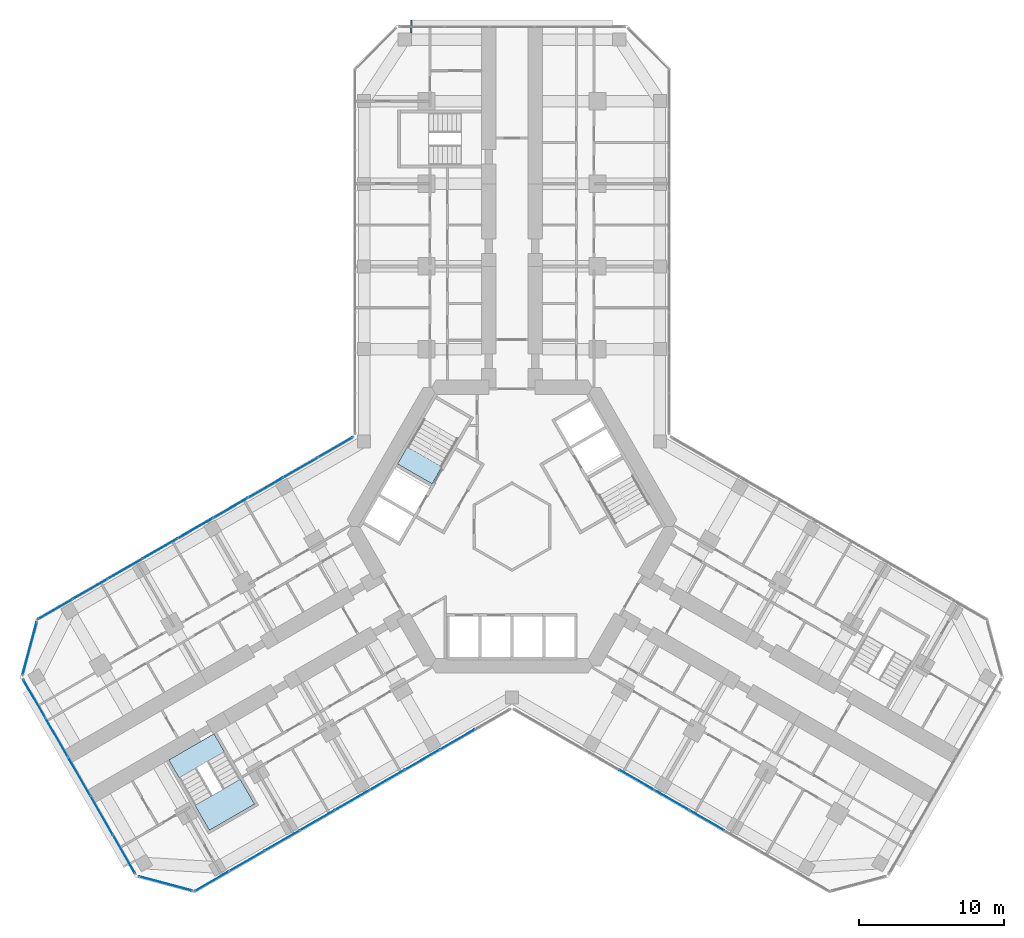
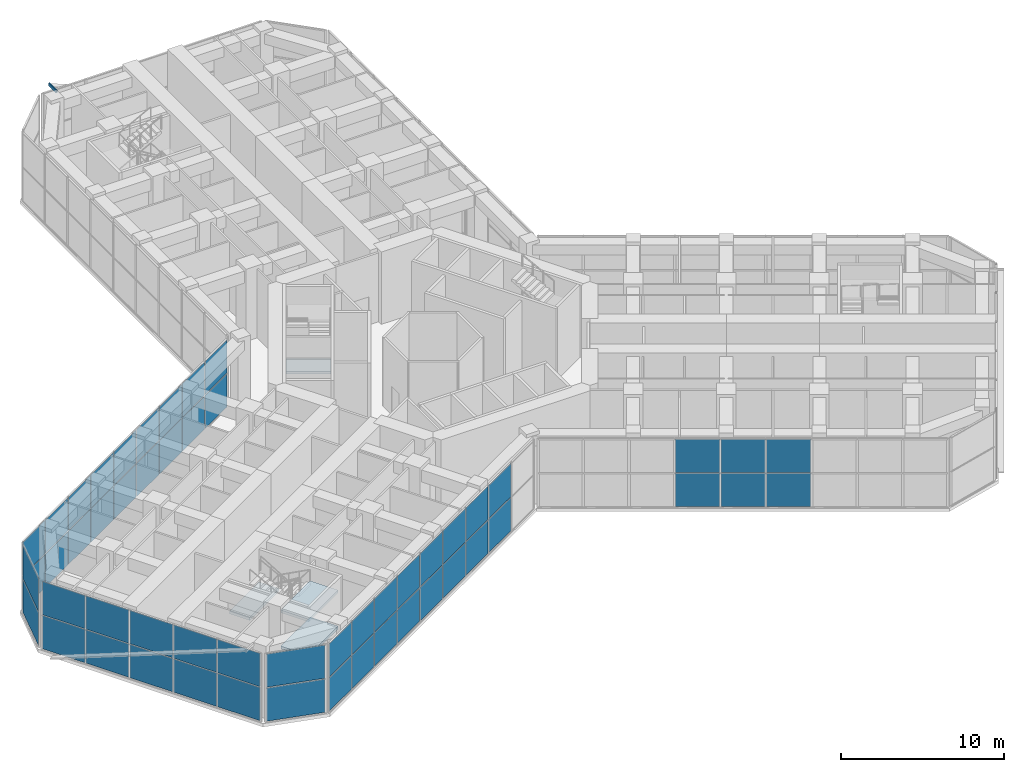
# One storey, part 11 of 23: 54 plates, 4 slabs, 1 member, 8 elements without a shape of their own.
"""IFC4 building model written with IfcOpenShell, lengths in metres."""

from ifc_helpers import new_model, si_unit, direction, frame, origin, origin_2d, place, context, subcontext, project, spatial, polyline, rectangle, hollow_rectangle, outline, extrude, material, layer, layer_set, material_profile, profile_set, type_object, element, aggregate, save


model = new_model("IFC4")

# Units and contexts
model_context = context("Model", 3, precision=1e-05, world=origin(), true_north=direction((0.0, 1.0)))
body_context = subcontext(model_context, "Body", "Model", "MODEL_VIEW")
ifc_project = project(units=[si_unit("LENGTHUNIT", "METRE"), si_unit("AREAUNIT", "SQUARE_METRE"), si_unit("VOLUMEUNIT", "CUBIC_METRE"), si_unit("PLANEANGLEUNIT", "RADIAN"), si_unit("MASSUNIT", "GRAM", prefix="KILO")], contexts=[model_context])

# Site, building, storey
site_placement = place(None, origin())
site = spatial("IfcSite", under=ifc_project, at=site_placement, CompositionType="ELEMENT")
building_placement = place(site_placement, origin())
building = spatial("IfcBuilding", under=site, at=building_placement, Name="Kosmar Iwan School Tower", CompositionType="ELEMENT")
storey_placement = place(building_placement, frame((0.0, 0.0, 75.39990234375)))
storey = spatial("IfcBuildingStorey", under=building, at=storey_placement, Name="L18", CompositionType="ELEMENT", Elevation=75.39990234375)

# Member
ifc_material_1 = material(Name="Steel S355", Category="steel")
ifc_material_profile = material_profile(ifc_material_1, hollow_rectangle(XDim=0.10009765625, YDim=0.199951171875, WallThickness=0.008056640625, at=origin_2d()), Name="RHS 200x100x8")
ifc_profile_set = profile_set([ifc_material_profile], Name="Steel S355")
member_type = type_object("IfcMemberType", Name="Fin bracket RHS 200x100", PredefinedType="USERDEFINED", material=ifc_profile_set)
member_placement = place(storey_placement, frame((-6.949951171875, 34.050048828125, 5.275146484375), z_axis=(0.0, 1.0, 0.0), x_axis=(-1.0, 0.0, 0.0)))
element("IfcMember", 1, at=member_placement, inside=storey, type_object=member_type, Name="Fin bracket L19", ObjectType="FIN BRACKET", PredefinedType="USERDEFINED", context=body_context, shape_type="SweptSolid", body=[
    extrude(hollow_rectangle(XDim=0.10009765625, YDim=0.199951171875, WallThickness=0.008056640625, at=origin_2d()), origin(), (0.0, 0.0, 1.0), 0.89990234375),
])

# Curtain wall, plates
ifc_material_2 = material(Name="Dark glass in black aluminium frame", Category="aluminium")
curtain_wall_type_1 = type_object("IfcCurtainWallType", Name="Winter garden curtain wall", PredefinedType="USERDEFINED", material=ifc_material_2)
curtain_wall_1_placement = place(storey_placement, origin())
curtain_wall_1 = element("IfcCurtainWall", 2, at=curtain_wall_1_placement, inside=storey, type_object=curtain_wall_type_1, Name="Curtain wall L18-F00", ObjectType="WINTER GARDEN CURTAIN WALL", PredefinedType="USERDEFINED")
ifc_material_3 = material(Name="Dark glass", Category="glass")
ifc_layer_1 = layer(ifc_material_3, 0.028076171875)
ifc_layer_set_1 = layer_set([ifc_layer_1], Name="Dark glass panel 28")
plate_type = type_object("IfcPlateType", Name="Dark glass panel 28", PredefinedType="CURTAIN_PANEL", material=ifc_layer_set_1)
plate_1_placement = place(storey_placement, frame((-3.766357421875, -14.674072265625, 0.06005859375), z_axis=(0.0, 0.0, 1.0), x_axis=(-0.866025395189, -0.500000014888, 0.0)))
plate_1 = element("IfcPlate", 3, at=plate_1_placement, type_object=plate_type, Name="CW7 panel 2.1", PredefinedType="CURTAIN_PANEL", context=body_context, shape_type="SweptSolid", body=[
    extrude(rectangle(XDim=2.733154296875, YDim=0.028076171875, at=origin_2d()), origin(), (0.0, 0.0, 1.0), 2.485107421875),
])
plate_2_placement = place(storey_placement, frame((-3.766357421875, -14.674072265625, 2.60498046875), z_axis=(0.0, 0.0, 1.0), x_axis=(-0.866025395189, -0.500000014888, 0.0)))
plate_2 = element("IfcPlate", 4, at=plate_2_placement, type_object=plate_type, Name="CW7 panel 2.2", PredefinedType="CURTAIN_PANEL", context=body_context, shape_type="SweptSolid", body=[
    extrude(rectangle(XDim=2.733154296875, YDim=0.028076171875, at=origin_2d()), origin(), (0.0, 0.0, 1.0), 2.485107421875),
])
plate_3_placement = place(storey_placement, frame((-6.185302734375, -16.07080078125, 0.06005859375), z_axis=(0.0, 0.0, 1.0), x_axis=(-0.866025395189, -0.500000014888, 0.0)))
plate_3 = element("IfcPlate", 5, at=plate_3_placement, type_object=plate_type, Name="CW7 panel 3.1", PredefinedType="CURTAIN_PANEL", context=body_context, shape_type="SweptSolid", body=[
    extrude(rectangle(XDim=2.733154296875, YDim=0.028076171875, at=origin_2d()), origin(), (0.0, 0.0, 1.0), 2.485107421875),
])
plate_4_placement = place(storey_placement, frame((-6.185302734375, -16.07080078125, 2.60498046875), z_axis=(0.0, 0.0, 1.0), x_axis=(-0.866025395189, -0.500000014888, 0.0)))
plate_4 = element("IfcPlate", 6, at=plate_4_placement, type_object=plate_type, Name="CW7 panel 3.2", PredefinedType="CURTAIN_PANEL", context=body_context, shape_type="SweptSolid", body=[
    extrude(rectangle(XDim=2.733154296875, YDim=0.028076171875, at=origin_2d()), origin(), (0.0, 0.0, 1.0), 2.485107421875),
])
plate_5_placement = place(storey_placement, frame((-8.6044921875, -17.46728515625, 0.06005859375), z_axis=(0.0, 0.0, 1.0), x_axis=(-0.866025395189, -0.500000014888, 0.0)))
plate_5 = element("IfcPlate", 7, at=plate_5_placement, type_object=plate_type, Name="CW7 panel 4.1", PredefinedType="CURTAIN_PANEL", context=body_context, shape_type="SweptSolid", body=[
    extrude(rectangle(XDim=2.733154296875, YDim=0.028076171875, at=origin_2d()), origin(), (0.0, 0.0, 1.0), 2.485107421875),
])
plate_6_placement = place(storey_placement, frame((-8.6044921875, -17.46728515625, 2.60498046875), z_axis=(0.0, 0.0, 1.0), x_axis=(-0.866025395189, -0.500000014888, 0.0)))
plate_6 = element("IfcPlate", 8, at=plate_6_placement, type_object=plate_type, Name="CW7 panel 4.2", PredefinedType="CURTAIN_PANEL", context=body_context, shape_type="SweptSolid", body=[
    extrude(rectangle(XDim=2.733154296875, YDim=0.028076171875, at=origin_2d()), origin(), (0.0, 0.0, 1.0), 2.485107421875),
])
plate_7_placement = place(storey_placement, frame((-11.0234375, -18.864013671875, 0.06005859375), z_axis=(0.0, 0.0, 1.0), x_axis=(-0.866025395189, -0.500000014888, 0.0)))
plate_7 = element("IfcPlate", 9, at=plate_7_placement, type_object=plate_type, Name="CW7 panel 5.1", PredefinedType="CURTAIN_PANEL", context=body_context, shape_type="SweptSolid", body=[
    extrude(rectangle(XDim=2.733154296875, YDim=0.028076171875, at=origin_2d()), origin(), (0.0, 0.0, 1.0), 2.485107421875),
])
plate_8_placement = place(storey_placement, frame((-11.0234375, -18.864013671875, 2.60498046875), z_axis=(0.0, 0.0, 1.0), x_axis=(-0.866025395189, -0.500000014888, 0.0)))
plate_8 = element("IfcPlate", 10, at=plate_8_placement, type_object=plate_type, Name="CW7 panel 5.2", PredefinedType="CURTAIN_PANEL", context=body_context, shape_type="SweptSolid", body=[
    extrude(rectangle(XDim=2.733154296875, YDim=0.028076171875, at=origin_2d()), origin(), (0.0, 0.0, 1.0), 2.485107421875),
])
plate_9_placement = place(storey_placement, frame((-13.4423828125, -20.2607421875, 0.06005859375), z_axis=(0.0, 0.0, 1.0), x_axis=(-0.866025395189, -0.500000014888, 0.0)))
plate_9 = element("IfcPlate", 11, at=plate_9_placement, type_object=plate_type, Name="CW7 panel 6.1", PredefinedType="CURTAIN_PANEL", context=body_context, shape_type="SweptSolid", body=[
    extrude(rectangle(XDim=2.733154296875, YDim=0.028076171875, at=origin_2d()), origin(), (0.0, 0.0, 1.0), 2.485107421875),
])
plate_10_placement = place(storey_placement, frame((-13.4423828125, -20.2607421875, 2.60498046875), z_axis=(0.0, 0.0, 1.0), x_axis=(-0.866025395189, -0.500000014888, 0.0)))
plate_10 = element("IfcPlate", 12, at=plate_10_placement, type_object=plate_type, Name="CW7 panel 6.2", PredefinedType="CURTAIN_PANEL", context=body_context, shape_type="SweptSolid", body=[
    extrude(rectangle(XDim=2.733154296875, YDim=0.028076171875, at=origin_2d()), origin(), (0.0, 0.0, 1.0), 2.485107421875),
])
plate_11_placement = place(storey_placement, frame((-15.861572265625, -21.6572265625, 0.06005859375), z_axis=(0.0, 0.0, 1.0), x_axis=(-0.866025395189, -0.500000014888, 0.0)))
plate_11 = element("IfcPlate", 13, at=plate_11_placement, type_object=plate_type, Name="CW7 panel 7.1", PredefinedType="CURTAIN_PANEL", context=body_context, shape_type="SweptSolid", body=[
    extrude(rectangle(XDim=2.733154296875, YDim=0.028076171875, at=origin_2d()), origin(), (0.0, 0.0, 1.0), 2.485107421875),
])
plate_12_placement = place(storey_placement, frame((-15.861572265625, -21.6572265625, 2.60498046875), z_axis=(0.0, 0.0, 1.0), x_axis=(-0.866025395189, -0.500000014888, 0.0)))
plate_12 = element("IfcPlate", 14, at=plate_12_placement, type_object=plate_type, Name="CW7 panel 7.2", PredefinedType="CURTAIN_PANEL", context=body_context, shape_type="SweptSolid", body=[
    extrude(rectangle(XDim=2.733154296875, YDim=0.028076171875, at=origin_2d()), origin(), (0.0, 0.0, 1.0), 2.485107421875),
])
plate_13_placement = place(storey_placement, frame((-18.280517578125, -23.053955078125, 0.06005859375), z_axis=(0.0, 0.0, 1.0), x_axis=(-0.866025395189, -0.500000014888, 0.0)))
plate_13 = element("IfcPlate", 15, at=plate_13_placement, type_object=plate_type, Name="CW7 panel 8.1", PredefinedType="CURTAIN_PANEL", context=body_context, shape_type="SweptSolid", body=[
    extrude(rectangle(XDim=2.733154296875, YDim=0.028076171875, at=origin_2d()), origin(), (0.0, 0.0, 1.0), 2.485107421875),
])
plate_14_placement = place(storey_placement, frame((-18.280517578125, -23.053955078125, 2.60498046875), z_axis=(0.0, 0.0, 1.0), x_axis=(-0.866025395189, -0.500000014888, 0.0)))
plate_14 = element("IfcPlate", 16, at=plate_14_placement, type_object=plate_type, Name="CW7 panel 8.2", PredefinedType="CURTAIN_PANEL", context=body_context, shape_type="SweptSolid", body=[
    extrude(rectangle(XDim=2.733154296875, YDim=0.028076171875, at=origin_2d()), origin(), (0.0, 0.0, 1.0), 2.485107421875),
])
plate_15_placement = place(storey_placement, frame((-20.6865234375, -24.443115234375, 0.06005859375), z_axis=(0.0, 0.0, 1.0), x_axis=(-0.866025395189, -0.500000014888, 0.0)))
plate_15 = element("IfcPlate", 17, at=plate_15_placement, type_object=plate_type, Name="CW7 panel 9.1", PredefinedType="CURTAIN_PANEL", context=body_context, shape_type="SweptSolid", body=[
    extrude(rectangle(XDim=2.703369140625, YDim=0.028076171875, at=origin_2d()), origin(), (0.0, 0.0, 1.0), 2.485107421875),
])
plate_16_placement = place(storey_placement, frame((-20.6865234375, -24.443115234375, 2.60498046875), z_axis=(0.0, 0.0, 1.0), x_axis=(-0.866025395189, -0.500000014888, 0.0)))
plate_16 = element("IfcPlate", 18, at=plate_16_placement, type_object=plate_type, Name="CW7 panel 9.2", PredefinedType="CURTAIN_PANEL", context=body_context, shape_type="SweptSolid", body=[
    extrude(rectangle(XDim=2.703369140625, YDim=0.028076171875, at=origin_2d()), origin(), (0.0, 0.0, 1.0), 2.485107421875),
])
aggregate(curtain_wall_1, [plate_1, plate_2, plate_3, plate_4, plate_5, plate_6, plate_7, plate_8, plate_9, plate_10, plate_11, plate_12, plate_13, plate_14, plate_15, plate_16])

curtain_wall_2_placement = place(storey_placement, origin())
curtain_wall_2 = element("IfcCurtainWall", 19, at=curtain_wall_2_placement, inside=storey, type_object=curtain_wall_type_1, Name="Curtain wall L18-F01", ObjectType="WINTER GARDEN CURTAIN WALL", PredefinedType="USERDEFINED")
plate_17_placement = place(storey_placement, frame((8.6044921875, -17.46728515625, 0.06005859375), z_axis=(0.0, 0.0, 1.0), x_axis=(0.866025395189, -0.500000014888, 0.0)))
plate_17 = element("IfcPlate", 20, at=plate_17_placement, type_object=plate_type, Name="CW7 panel 4.1", PredefinedType="CURTAIN_PANEL", context=body_context, shape_type="SweptSolid", body=[
    extrude(rectangle(XDim=2.733154296875, YDim=0.028076171875, at=origin_2d()), origin(), (0.0, 0.0, 1.0), 2.485107421875),
])
plate_18_placement = place(storey_placement, frame((8.6044921875, -17.46728515625, 2.60498046875), z_axis=(0.0, 0.0, 1.0), x_axis=(0.866025395189, -0.500000014888, 0.0)))
plate_18 = element("IfcPlate", 21, at=plate_18_placement, type_object=plate_type, Name="CW7 panel 4.2", PredefinedType="CURTAIN_PANEL", context=body_context, shape_type="SweptSolid", body=[
    extrude(rectangle(XDim=2.733154296875, YDim=0.028076171875, at=origin_2d()), origin(), (0.0, 0.0, 1.0), 2.485107421875),
])
plate_19_placement = place(storey_placement, frame((11.0234375, -18.864013671875, 0.06005859375), z_axis=(0.0, 0.0, 1.0), x_axis=(0.866025395189, -0.500000014888, 0.0)))
plate_19 = element("IfcPlate", 22, at=plate_19_placement, type_object=plate_type, Name="CW7 panel 5.1", PredefinedType="CURTAIN_PANEL", context=body_context, shape_type="SweptSolid", body=[
    extrude(rectangle(XDim=2.733154296875, YDim=0.028076171875, at=origin_2d()), origin(), (0.0, 0.0, 1.0), 2.485107421875),
])
plate_20_placement = place(storey_placement, frame((11.0234375, -18.864013671875, 2.60498046875), z_axis=(0.0, 0.0, 1.0), x_axis=(0.866025395189, -0.500000014888, 0.0)))
plate_20 = element("IfcPlate", 23, at=plate_20_placement, type_object=plate_type, Name="CW7 panel 5.2", PredefinedType="CURTAIN_PANEL", context=body_context, shape_type="SweptSolid", body=[
    extrude(rectangle(XDim=2.733154296875, YDim=0.028076171875, at=origin_2d()), origin(), (0.0, 0.0, 1.0), 2.485107421875),
])
plate_21_placement = place(storey_placement, frame((13.4423828125, -20.2607421875, 0.06005859375), z_axis=(0.0, 0.0, 1.0), x_axis=(0.866025395189, -0.500000014888, 0.0)))
plate_21 = element("IfcPlate", 24, at=plate_21_placement, type_object=plate_type, Name="CW7 panel 6.1", PredefinedType="CURTAIN_PANEL", context=body_context, shape_type="SweptSolid", body=[
    extrude(rectangle(XDim=2.733154296875, YDim=0.028076171875, at=origin_2d()), origin(), (0.0, 0.0, 1.0), 2.485107421875),
])
plate_22_placement = place(storey_placement, frame((13.4423828125, -20.2607421875, 2.60498046875), z_axis=(0.0, 0.0, 1.0), x_axis=(0.866025395189, -0.500000014888, 0.0)))
plate_22 = element("IfcPlate", 25, at=plate_22_placement, type_object=plate_type, Name="CW7 panel 6.2", PredefinedType="CURTAIN_PANEL", context=body_context, shape_type="SweptSolid", body=[
    extrude(rectangle(XDim=2.733154296875, YDim=0.028076171875, at=origin_2d()), origin(), (0.0, 0.0, 1.0), 2.485107421875),
])
aggregate(curtain_wall_2, [plate_17, plate_18, plate_19, plate_20, plate_21, plate_22])

curtain_wall_3_placement = place(storey_placement, origin())
curtain_wall_3 = element("IfcCurtainWall", 26, at=curtain_wall_3_placement, inside=storey, type_object=curtain_wall_type_1, Name="Curtain wall L18-F11", ObjectType="WINTER GARDEN CURTAIN WALL", PredefinedType="USERDEFINED")
plate_23_placement = place(storey_placement, frame((-12.185302734375, 5.46435546875, 0.06005859375), z_axis=(0.0, 0.0, 1.0), x_axis=(-0.866025395189, -0.500000014888, 0.0)))
plate_23 = element("IfcPlate", 27, at=plate_23_placement, type_object=plate_type, Name="CW7 panel 1.1", PredefinedType="CURTAIN_PANEL", context=body_context, shape_type="SweptSolid", body=[
    extrude(rectangle(XDim=2.703369140625, YDim=0.028076171875, at=origin_2d()), origin(), (0.0, 0.0, 1.0), 2.485107421875),
])
plate_24_placement = place(storey_placement, frame((-12.185302734375, 5.46435546875, 2.60498046875), z_axis=(0.0, 0.0, 1.0), x_axis=(-0.866025395189, -0.500000014888, 0.0)))
plate_24 = element("IfcPlate", 28, at=plate_24_placement, type_object=plate_type, Name="CW7 panel 1.2", PredefinedType="CURTAIN_PANEL", context=body_context, shape_type="SweptSolid", body=[
    extrude(rectangle(XDim=2.703369140625, YDim=0.028076171875, at=origin_2d()), origin(), (0.0, 0.0, 1.0), 2.485107421875),
])
plate_25_placement = place(storey_placement, frame((-14.59130859375, 4.0751953125, 0.06005859375), z_axis=(0.0, 0.0, 1.0), x_axis=(-0.866025395189, -0.500000014888, 0.0)))
plate_25 = element("IfcPlate", 29, at=plate_25_placement, type_object=plate_type, Name="CW7 panel 2.1", PredefinedType="CURTAIN_PANEL", context=body_context, shape_type="SweptSolid", body=[
    extrude(rectangle(XDim=2.733154296875, YDim=0.028076171875, at=origin_2d()), origin(), (0.0, 0.0, 1.0), 2.485107421875),
])
plate_26_placement = place(storey_placement, frame((-14.59130859375, 4.0751953125, 2.60498046875), z_axis=(0.0, 0.0, 1.0), x_axis=(-0.866025395189, -0.500000014888, 0.0)))
plate_26 = element("IfcPlate", 30, at=plate_26_placement, type_object=plate_type, Name="CW7 panel 2.2", PredefinedType="CURTAIN_PANEL", context=body_context, shape_type="SweptSolid", body=[
    extrude(rectangle(XDim=2.733154296875, YDim=0.028076171875, at=origin_2d()), origin(), (0.0, 0.0, 1.0), 2.485107421875),
])
plate_27_placement = place(storey_placement, frame((-17.010498046875, 2.6787109375, 0.06005859375), z_axis=(0.0, 0.0, 1.0), x_axis=(-0.866025395189, -0.500000014888, 0.0)))
plate_27 = element("IfcPlate", 31, at=plate_27_placement, type_object=plate_type, Name="CW7 panel 3.1", PredefinedType="CURTAIN_PANEL", context=body_context, shape_type="SweptSolid", body=[
    extrude(rectangle(XDim=2.733154296875, YDim=0.028076171875, at=origin_2d()), origin(), (0.0, 0.0, 1.0), 2.485107421875),
])
plate_28_placement = place(storey_placement, frame((-17.010498046875, 2.6787109375, 2.60498046875), z_axis=(0.0, 0.0, 1.0), x_axis=(-0.866025395189, -0.500000014888, 0.0)))
plate_28 = element("IfcPlate", 32, at=plate_28_placement, type_object=plate_type, Name="CW7 panel 3.2", PredefinedType="CURTAIN_PANEL", context=body_context, shape_type="SweptSolid", body=[
    extrude(rectangle(XDim=2.733154296875, YDim=0.028076171875, at=origin_2d()), origin(), (0.0, 0.0, 1.0), 2.485107421875),
])
plate_29_placement = place(storey_placement, frame((-19.429443359375, 1.281982421875, 0.06005859375), z_axis=(0.0, 0.0, 1.0), x_axis=(-0.866025395189, -0.500000014888, 0.0)))
plate_29 = element("IfcPlate", 33, at=plate_29_placement, type_object=plate_type, Name="CW7 panel 4.1", PredefinedType="CURTAIN_PANEL", context=body_context, shape_type="SweptSolid", body=[
    extrude(rectangle(XDim=2.733154296875, YDim=0.028076171875, at=origin_2d()), origin(), (0.0, 0.0, 1.0), 2.485107421875),
])
plate_30_placement = place(storey_placement, frame((-19.429443359375, 1.281982421875, 2.60498046875), z_axis=(0.0, 0.0, 1.0), x_axis=(-0.866025395189, -0.500000014888, 0.0)))
plate_30 = element("IfcPlate", 34, at=plate_30_placement, type_object=plate_type, Name="CW7 panel 4.2", PredefinedType="CURTAIN_PANEL", context=body_context, shape_type="SweptSolid", body=[
    extrude(rectangle(XDim=2.733154296875, YDim=0.028076171875, at=origin_2d()), origin(), (0.0, 0.0, 1.0), 2.485107421875),
])
plate_31_placement = place(storey_placement, frame((-21.848388671875, -0.114501953125, 0.06005859375), z_axis=(0.0, 0.0, 1.0), x_axis=(-0.866025395189, -0.500000014888, 0.0)))
plate_31 = element("IfcPlate", 35, at=plate_31_placement, type_object=plate_type, Name="CW7 panel 5.1", PredefinedType="CURTAIN_PANEL", context=body_context, shape_type="SweptSolid", body=[
    extrude(rectangle(XDim=2.733154296875, YDim=0.028076171875, at=origin_2d()), origin(), (0.0, 0.0, 1.0), 2.485107421875),
])
plate_32_placement = place(storey_placement, frame((-21.848388671875, -0.114501953125, 2.60498046875), z_axis=(0.0, 0.0, 1.0), x_axis=(-0.866025395189, -0.500000014888, 0.0)))
plate_32 = element("IfcPlate", 36, at=plate_32_placement, type_object=plate_type, Name="CW7 panel 5.2", PredefinedType="CURTAIN_PANEL", context=body_context, shape_type="SweptSolid", body=[
    extrude(rectangle(XDim=2.733154296875, YDim=0.028076171875, at=origin_2d()), origin(), (0.0, 0.0, 1.0), 2.485107421875),
])
plate_33_placement = place(storey_placement, frame((-24.267578125, -1.51123046875, 0.06005859375), z_axis=(0.0, 0.0, 1.0), x_axis=(-0.866025395189, -0.500000014888, 0.0)))
plate_33 = element("IfcPlate", 37, at=plate_33_placement, type_object=plate_type, Name="CW7 panel 6.1", PredefinedType="CURTAIN_PANEL", context=body_context, shape_type="SweptSolid", body=[
    extrude(rectangle(XDim=2.733154296875, YDim=0.028076171875, at=origin_2d()), origin(), (0.0, 0.0, 1.0), 2.485107421875),
])
plate_34_placement = place(storey_placement, frame((-24.267578125, -1.51123046875, 2.60498046875), z_axis=(0.0, 0.0, 1.0), x_axis=(-0.866025395189, -0.500000014888, 0.0)))
plate_34 = element("IfcPlate", 38, at=plate_34_placement, type_object=plate_type, Name="CW7 panel 6.2", PredefinedType="CURTAIN_PANEL", context=body_context, shape_type="SweptSolid", body=[
    extrude(rectangle(XDim=2.733154296875, YDim=0.028076171875, at=origin_2d()), origin(), (0.0, 0.0, 1.0), 2.485107421875),
])
plate_35_placement = place(storey_placement, frame((-26.6865234375, -2.90771484375, 0.06005859375), z_axis=(0.0, 0.0, 1.0), x_axis=(-0.866025395189, -0.500000014888, 0.0)))
plate_35 = element("IfcPlate", 39, at=plate_35_placement, type_object=plate_type, Name="CW7 panel 7.1", PredefinedType="CURTAIN_PANEL", context=body_context, shape_type="SweptSolid", body=[
    extrude(rectangle(XDim=2.733154296875, YDim=0.028076171875, at=origin_2d()), origin(), (0.0, 0.0, 1.0), 2.485107421875),
])
plate_36_placement = place(storey_placement, frame((-26.6865234375, -2.90771484375, 2.60498046875), z_axis=(0.0, 0.0, 1.0), x_axis=(-0.866025395189, -0.500000014888, 0.0)))
plate_36 = element("IfcPlate", 40, at=plate_36_placement, type_object=plate_type, Name="CW7 panel 7.2", PredefinedType="CURTAIN_PANEL", context=body_context, shape_type="SweptSolid", body=[
    extrude(rectangle(XDim=2.733154296875, YDim=0.028076171875, at=origin_2d()), origin(), (0.0, 0.0, 1.0), 2.485107421875),
])
plate_37_placement = place(storey_placement, frame((-29.10546875, -4.304443359375, 0.06005859375), z_axis=(0.0, 0.0, 1.0), x_axis=(-0.866025395189, -0.500000014888, 0.0)))
plate_37 = element("IfcPlate", 41, at=plate_37_placement, type_object=plate_type, Name="CW7 panel 8.1", PredefinedType="CURTAIN_PANEL", context=body_context, shape_type="SweptSolid", body=[
    extrude(rectangle(XDim=2.733154296875, YDim=0.028076171875, at=origin_2d()), origin(), (0.0, 0.0, 1.0), 2.485107421875),
])
plate_38_placement = place(storey_placement, frame((-29.10546875, -4.304443359375, 2.60498046875), z_axis=(0.0, 0.0, 1.0), x_axis=(-0.866025395189, -0.500000014888, 0.0)))
plate_38 = element("IfcPlate", 42, at=plate_38_placement, type_object=plate_type, Name="CW7 panel 8.2", PredefinedType="CURTAIN_PANEL", context=body_context, shape_type="SweptSolid", body=[
    extrude(rectangle(XDim=2.733154296875, YDim=0.028076171875, at=origin_2d()), origin(), (0.0, 0.0, 1.0), 2.485107421875),
])
plate_39_placement = place(storey_placement, frame((-31.511474609375, -5.693603515625, 0.06005859375), z_axis=(0.0, 0.0, 1.0), x_axis=(-0.866025395189, -0.500000014888, 0.0)))
plate_39 = element("IfcPlate", 43, at=plate_39_placement, type_object=plate_type, Name="CW7 panel 9.1", PredefinedType="CURTAIN_PANEL", context=body_context, shape_type="SweptSolid", body=[
    extrude(rectangle(XDim=2.703369140625, YDim=0.028076171875, at=origin_2d()), origin(), (0.0, 0.0, 1.0), 2.485107421875),
])
plate_40_placement = place(storey_placement, frame((-31.511474609375, -5.693603515625, 2.60498046875), z_axis=(0.0, 0.0, 1.0), x_axis=(-0.866025395189, -0.500000014888, 0.0)))
plate_40 = element("IfcPlate", 44, at=plate_40_placement, type_object=plate_type, Name="CW7 panel 9.2", PredefinedType="CURTAIN_PANEL", context=body_context, shape_type="SweptSolid", body=[
    extrude(rectangle(XDim=2.703369140625, YDim=0.028076171875, at=origin_2d()), origin(), (0.0, 0.0, 1.0), 2.485107421875),
])
aggregate(curtain_wall_3, [plate_23, plate_24, plate_25, plate_26, plate_27, plate_28, plate_29, plate_30, plate_31, plate_32, plate_33, plate_34, plate_35, plate_36, plate_37, plate_38, plate_39, plate_40])

ifc_material_4 = material(Name="Dark glass in black aluminium frame", Category="aluminium")
curtain_wall_type_2 = type_object("IfcCurtainWallType", Name="Chamfer curtain wall dark glass", PredefinedType="USERDEFINED", material=ifc_material_4)
curtain_wall_4_placement = place(storey_placement, origin())
curtain_wall_4 = element("IfcCurtainWall", 45, at=curtain_wall_4_placement, inside=storey, type_object=curtain_wall_type_2, Name="Curtain wall L18-F12", ObjectType="FACETED CURTAIN WALL", PredefinedType="USERDEFINED")
plate_41_placement = place(storey_placement, frame((-33.269775390625, -8.3984375, 0.06005859375), z_axis=(0.0, 0.0, 1.0), x_axis=(-0.258818861462, -0.965925875495, 0.0)))
plate_41 = element("IfcPlate", 46, at=plate_41_placement, type_object=plate_type, Name="CW2 panel 1.1", PredefinedType="CURTAIN_PANEL", context=body_context, shape_type="SweptSolid", body=[
    extrude(rectangle(XDim=3.718994140625, YDim=0.028076171875, at=origin_2d()), origin(), (0.0, 0.0, 1.0), 2.485107421875),
])
plate_42_placement = place(storey_placement, frame((-33.269775390625, -8.3984375, 2.60498046875), z_axis=(0.0, 0.0, 1.0), x_axis=(-0.258818861462, -0.965925875495, 0.0)))
plate_42 = element("IfcPlate", 47, at=plate_42_placement, type_object=plate_type, Name="CW2 panel 1.2", PredefinedType="CURTAIN_PANEL", context=body_context, shape_type="SweptSolid", body=[
    extrude(rectangle(XDim=3.718994140625, YDim=0.028076171875, at=origin_2d()), origin(), (0.0, 0.0, 1.0), 2.485107421875),
])
aggregate(curtain_wall_4, [plate_41, plate_42])

ifc_material_5 = material(Name="Dark glass in black aluminium frame", Category="aluminium")
curtain_wall_type_3 = type_object("IfcCurtainWallType", Name="Tower curtain wall dark glass", PredefinedType="USERDEFINED", material=ifc_material_5)
curtain_wall_5_placement = place(storey_placement, origin())
curtain_wall_5 = element("IfcCurtainWall", 48, at=curtain_wall_5_placement, inside=storey, type_object=curtain_wall_type_3, Name="Curtain wall L18-F13", ObjectType="UNITISED CURTAIN WALL", PredefinedType="USERDEFINED")
plate_43_placement = place(storey_placement, frame((-32.947998046875, -11.88232421875, 0.06005859375), z_axis=(0.0, 0.0, 1.0), x_axis=(0.499999997325, -0.866025405329, 0.0)))
plate_43 = element("IfcPlate", 49, at=plate_43_placement, type_object=plate_type, Name="CW1 panel 1.1", PredefinedType="CURTAIN_PANEL", context=body_context, shape_type="SweptSolid", body=[
    extrude(rectangle(XDim=3.00927734375, YDim=0.028076171875, at=origin_2d()), origin(), (0.0, 0.0, 1.0), 2.485107421875),
])
plate_44_placement = place(storey_placement, frame((-32.947998046875, -11.88232421875, 2.60498046875), z_axis=(0.0, 0.0, 1.0), x_axis=(0.499999997325, -0.866025405329, 0.0)))
plate_44 = element("IfcPlate", 50, at=plate_44_placement, type_object=plate_type, Name="CW1 panel 1.2", PredefinedType="CURTAIN_PANEL", context=body_context, shape_type="SweptSolid", body=[
    extrude(rectangle(XDim=3.00927734375, YDim=0.028076171875, at=origin_2d()), origin(), (0.0, 0.0, 1.0), 2.485107421875),
])
plate_45_placement = place(storey_placement, frame((-31.40576171875, -14.553466796875, 0.06005859375), z_axis=(0.0, 0.0, 1.0), x_axis=(0.499999997325, -0.866025405329, 0.0)))
plate_45 = element("IfcPlate", 51, at=plate_45_placement, type_object=plate_type, Name="CW1 panel 2.1", PredefinedType="CURTAIN_PANEL", context=body_context, shape_type="SweptSolid", body=[
    extrude(rectangle(XDim=3.039306640625, YDim=0.028076171875, at=origin_2d()), origin(), (0.0, 0.0, 1.0), 2.485107421875),
])
plate_46_placement = place(storey_placement, frame((-31.40576171875, -14.553466796875, 2.60498046875), z_axis=(0.0, 0.0, 1.0), x_axis=(0.499999997325, -0.866025405329, 0.0)))
plate_46 = element("IfcPlate", 52, at=plate_46_placement, type_object=plate_type, Name="CW1 panel 2.2", PredefinedType="CURTAIN_PANEL", context=body_context, shape_type="SweptSolid", body=[
    extrude(rectangle(XDim=3.039306640625, YDim=0.028076171875, at=origin_2d()), origin(), (0.0, 0.0, 1.0), 2.485107421875),
])
plate_47_placement = place(storey_placement, frame((-29.856201171875, -17.237548828125, 0.06005859375), z_axis=(0.0, 0.0, 1.0), x_axis=(0.499999997325, -0.866025405329, 0.0)))
plate_47 = element("IfcPlate", 53, at=plate_47_placement, type_object=plate_type, Name="CW1 panel 3.1", PredefinedType="CURTAIN_PANEL", context=body_context, shape_type="SweptSolid", body=[
    extrude(rectangle(XDim=3.039306640625, YDim=0.028076171875, at=origin_2d()), origin(), (0.0, 0.0, 1.0), 2.485107421875),
])
plate_48_placement = place(storey_placement, frame((-29.856201171875, -17.237548828125, 2.60498046875), z_axis=(0.0, 0.0, 1.0), x_axis=(0.499999997325, -0.866025405329, 0.0)))
plate_48 = element("IfcPlate", 54, at=plate_48_placement, type_object=plate_type, Name="CW1 panel 3.2", PredefinedType="CURTAIN_PANEL", context=body_context, shape_type="SweptSolid", body=[
    extrude(rectangle(XDim=3.039306640625, YDim=0.028076171875, at=origin_2d()), origin(), (0.0, 0.0, 1.0), 2.485107421875),
])
plate_49_placement = place(storey_placement, frame((-28.306640625, -19.921630859375, 0.06005859375), z_axis=(0.0, 0.0, 1.0), x_axis=(0.499999997325, -0.866025405329, 0.0)))
plate_49 = element("IfcPlate", 55, at=plate_49_placement, type_object=plate_type, Name="CW1 panel 4.1", PredefinedType="CURTAIN_PANEL", context=body_context, shape_type="SweptSolid", body=[
    extrude(rectangle(XDim=3.039306640625, YDim=0.028076171875, at=origin_2d()), origin(), (0.0, 0.0, 1.0), 2.485107421875),
])
plate_50_placement = place(storey_placement, frame((-28.306640625, -19.921630859375, 2.60498046875), z_axis=(0.0, 0.0, 1.0), x_axis=(0.499999997325, -0.866025405329, 0.0)))
plate_50 = element("IfcPlate", 56, at=plate_50_placement, type_object=plate_type, Name="CW1 panel 4.2", PredefinedType="CURTAIN_PANEL", context=body_context, shape_type="SweptSolid", body=[
    extrude(rectangle(XDim=3.039306640625, YDim=0.028076171875, at=origin_2d()), origin(), (0.0, 0.0, 1.0), 2.485107421875),
])
plate_51_placement = place(storey_placement, frame((-26.764404296875, -22.592529296875, 0.06005859375), z_axis=(0.0, 0.0, 1.0), x_axis=(0.499999997325, -0.866025405329, 0.0)))
plate_51 = element("IfcPlate", 57, at=plate_51_placement, type_object=plate_type, Name="CW1 panel 5.1", PredefinedType="CURTAIN_PANEL", context=body_context, shape_type="SweptSolid", body=[
    extrude(rectangle(XDim=3.00927734375, YDim=0.028076171875, at=origin_2d()), origin(), (0.0, 0.0, 1.0), 2.485107421875),
])
plate_52_placement = place(storey_placement, frame((-26.764404296875, -22.592529296875, 2.60498046875), z_axis=(0.0, 0.0, 1.0), x_axis=(0.499999997325, -0.866025405329, 0.0)))
plate_52 = element("IfcPlate", 58, at=plate_52_placement, type_object=plate_type, Name="CW1 panel 5.2", PredefinedType="CURTAIN_PANEL", context=body_context, shape_type="SweptSolid", body=[
    extrude(rectangle(XDim=3.00927734375, YDim=0.028076171875, at=origin_2d()), origin(), (0.0, 0.0, 1.0), 2.485107421875),
])
aggregate(curtain_wall_5, [plate_43, plate_44, plate_45, plate_46, plate_47, plate_48, plate_49, plate_50, plate_51, plate_52])

curtain_wall_6_placement = place(storey_placement, origin())
curtain_wall_6 = element("IfcCurtainWall", 59, at=curtain_wall_6_placement, inside=storey, type_object=curtain_wall_type_2, Name="Curtain wall L18-F14", ObjectType="FACETED CURTAIN WALL", PredefinedType="USERDEFINED")
plate_53_placement = place(storey_placement, frame((-23.908203125, -24.61328125, 0.06005859375), z_axis=(0.0, 0.0, 1.0), x_axis=(0.965925875495, -0.258818861462, 0.0)))
plate_53 = element("IfcPlate", 60, at=plate_53_placement, type_object=plate_type, Name="CW2 panel 1.1", PredefinedType="CURTAIN_PANEL", context=body_context, shape_type="SweptSolid", body=[
    extrude(rectangle(XDim=3.718994140625, YDim=0.028076171875, at=origin_2d()), origin(), (0.0, 0.0, 1.0), 2.485107421875),
])
plate_54_placement = place(storey_placement, frame((-23.908203125, -24.61328125, 2.60498046875), z_axis=(0.0, 0.0, 1.0), x_axis=(0.965925875495, -0.258818861462, 0.0)))
plate_54 = element("IfcPlate", 61, at=plate_54_placement, type_object=plate_type, Name="CW2 panel 1.2", PredefinedType="CURTAIN_PANEL", context=body_context, shape_type="SweptSolid", body=[
    extrude(rectangle(XDim=3.718994140625, YDim=0.028076171875, at=origin_2d()), origin(), (0.0, 0.0, 1.0), 2.485107421875),
])
aggregate(curtain_wall_6, [plate_53, plate_54])

# Stair, slabs
ifc_material_6 = material(Name="Concrete C35/45", Category="concrete")
stair_type_1 = type_object("IfcStairType", Name="Escape stair 3600", PredefinedType="HALF_TURN_STAIR", material=ifc_material_6)
stair_1_placement = place(storey_placement, origin())
stair_1 = element("IfcStair", 62, at=stair_1_placement, inside=storey, type_object=stair_type_1, Name="Stair WS2 L18", PredefinedType="HALF_TURN_STAIR")
ifc_material_7 = material(Name="Concrete C35/45", Category="concrete")
ifc_layer_2 = layer(ifc_material_7, 0.199951171875)
ifc_layer_set_2 = layer_set([ifc_layer_2], Name="Escape stair landing 200")
slab_type_1 = type_object("IfcSlabType", Name="Escape stair landing 200", PredefinedType="LANDING", material=ifc_layer_set_2)
slab_1_placement = place(storey_placement, frame((0.0, 0.0, 1.150146484375)))
slab_1 = element("IfcSlab", 63, at=slab_1_placement, type_object=slab_type_1, Name="WS2 landing 1", PredefinedType="LANDING", context=body_context, shape_type="SweptSolid", body=[
    extrude(outline(polyline([(-18.747314453125, -17.4287109375), (-21.864990234375, -19.228759765625), (-20.875, -20.943359375), (-17.75732421875, -19.143310546875), (-18.747314453125, -17.4287109375)])), origin(), (0.0, 0.0, 1.0), 0.199951171875),
])
slab_2_placement = place(storey_placement, frame((0.0, 0.0, 2.5)))
slab_2 = element("IfcSlab", 64, at=slab_2_placement, type_object=slab_type_1, Name="WS2 landing 2", PredefinedType="LANDING", context=body_context, shape_type="SweptSolid", body=[
    extrude(outline(polyline([(-20.557373046875, -14.293701171875), (-23.675048828125, -16.09375), (-22.965087890625, -17.323486328125), (-19.847412109375, -15.5234375), (-20.557373046875, -14.293701171875)])), origin(), (0.0, 0.0, 1.0), 0.2001953125),
])
slab_3_placement = place(storey_placement, frame((0.0, 0.0, 3.85009765625)))
slab_3 = element("IfcSlab", 65, at=slab_3_placement, type_object=slab_type_1, Name="WS2 landing 3", PredefinedType="LANDING", context=body_context, shape_type="SweptSolid", body=[
    extrude(outline(polyline([(-18.747314453125, -17.4287109375), (-21.864990234375, -19.228759765625), (-20.875, -20.943359375), (-17.75732421875, -19.143310546875), (-18.747314453125, -17.4287109375)])), origin(), (0.0, 0.0, 1.0), 0.199951171875),
])
aggregate(stair_1, [slab_1, slab_2, slab_3])

# Stair, slab
ifc_material_8 = material(Name="Concrete C35/45", Category="concrete")
stair_type_2 = type_object("IfcStairType", Name="Core stair 2750", PredefinedType="HALF_TURN_STAIR", material=ifc_material_8)
stair_2_placement = place(storey_placement, origin())
stair_2 = element("IfcStair", 66, at=stair_2_placement, inside=storey, type_object=stair_type_2, Name="Stair ST2 L18", PredefinedType="HALF_TURN_STAIR")
ifc_material_9 = material(Name="Concrete C35/45", Category="concrete")
ifc_layer_3 = layer(ifc_material_9, 0.199951171875)
ifc_layer_set_3 = layer_set([ifc_layer_3], Name="Stair landing 200")
slab_type_2 = type_object("IfcSlabType", Name="Stair landing 200", PredefinedType="LANDING", material=ifc_layer_set_3)
slab_4_placement = place(storey_placement, frame((0.0, 0.0, 2.5)))
slab_4 = element("IfcSlab", 67, at=slab_4_placement, type_object=slab_type_2, Name="ST2 landing 2", PredefinedType="LANDING", context=body_context, shape_type="SweptSolid", body=[
    extrude(outline(polyline([(-4.832763671875, 4.129638671875), (-7.214111328125, 5.504638671875), (-7.894287109375, 4.326904296875), (-5.5126953125, 2.951904296875), (-4.832763671875, 4.129638671875)])), origin(), (0.0, 0.0, 1.0), 0.2001953125),
])
aggregate(stair_2, [slab_4])

save(model, "model.ifc")
